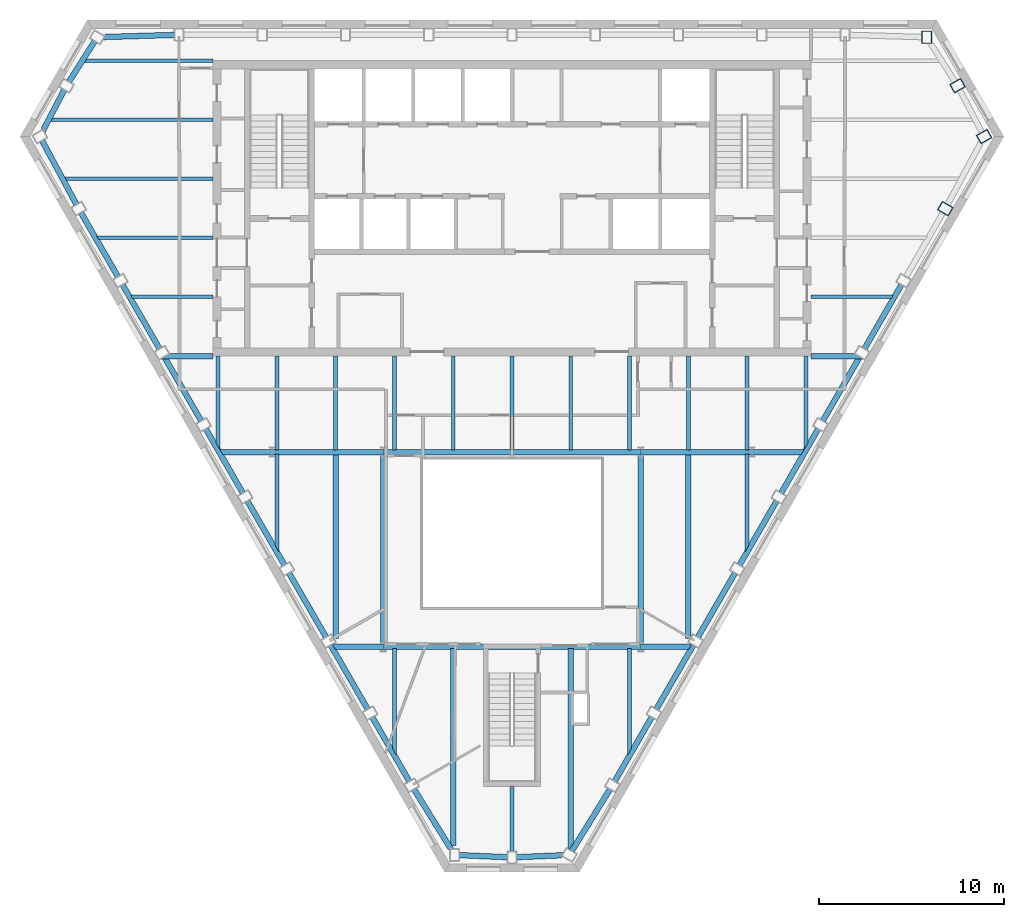
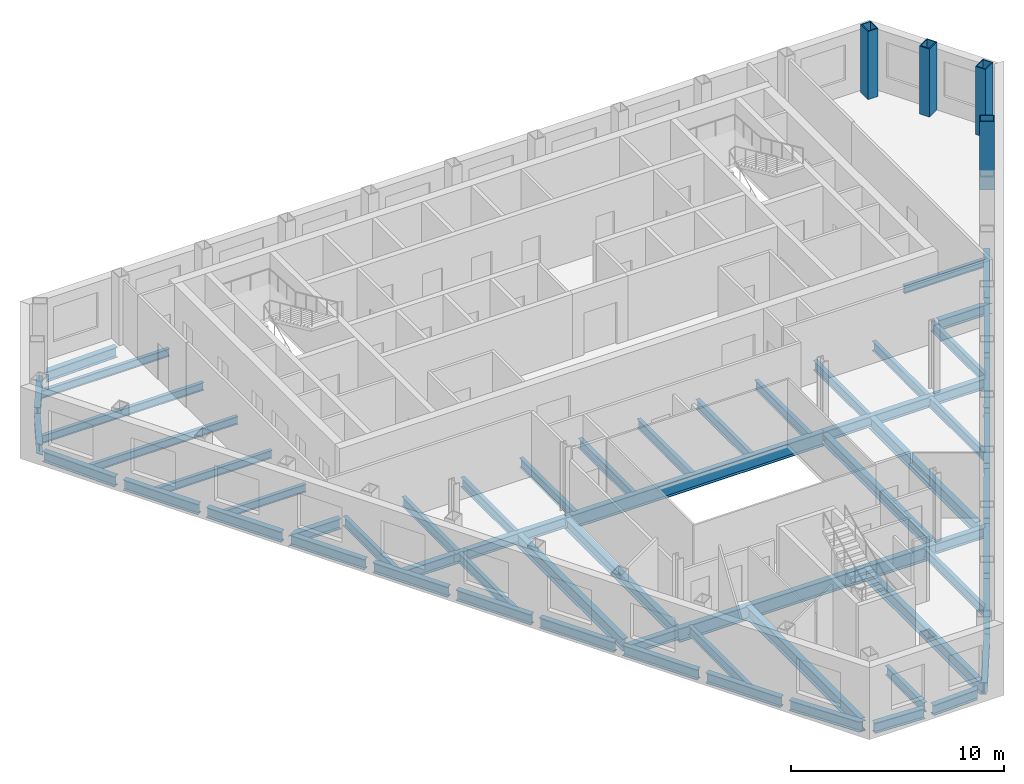
# One storey, part 2 of 11: 61 beams, 4 columns.
"""IFC4 building model written with IfcOpenShell, lengths in metres."""

import ifcopenshell
import ifcopenshell.guid

model = None  # the IFC model being written
_history = None  # IfcOwnerHistory: only IFC2X3 demands one
_inside = {}  # id of a spatial element -> (the spatial element, [elements in it])
_under = {}  # id of a project, library or spatial element -> (it, [spatial elements below it])
_declared = {}  # id of a project -> (the project, [libraries it declares])
_typed = {}  # id of a type object -> (the type object, [elements of that type])
_made_of = {}  # id of a material, layer set ... -> (it, [elements and type objects made of it])


def new_model(schema):
    """Start an empty IFC model of exactly this schema.

    Asked for "IFC4X3", IfcOpenShell would pick the latest addendum, in which some entities
    have other attributes; the version numbers below select the first issue.
    IFC2X3 requires an IfcOwnerHistory on every rooted entity: one is made here for all.
    """
    global model, _history
    if schema == "IFC4X3":
        model = ifcopenshell.file(schema_version=(4, 3, 0, 0))
    else:
        model = ifcopenshell.file(schema=schema)
    _inside.clear()
    _under.clear()
    _declared.clear()
    _typed.clear()
    _made_of.clear()
    _history = None
    if model.schema == "IFC2X3":
        org = make("IfcOrganization", Name="unknown")
        user = make(
            "IfcPersonAndOrganization",
            ThePerson=make("IfcPerson", FamilyName="unknown"),
            TheOrganization=org,
        )
        app = make(
            "IfcApplication",
            ApplicationDeveloper=org,
            Version="unknown",
            ApplicationFullName="unknown",
            ApplicationIdentifier="unknown",
        )
        _history = make(
            "IfcOwnerHistory",
            OwningUser=user,
            OwningApplication=app,
            ChangeAction="ADDED",
            CreationDate=0,
        )
    return model


def make(cls, **values):
    """One entity of the class cls with the attributes given. An attribute that is None is left unset."""
    return model.create_entity(
        cls, **{name: value for name, value in values.items() if value is not None}
    )


def rooted(cls, **values):
    """An entity with a GlobalId (a new one), such as an element, a storey or a relation."""
    return make(cls, GlobalId=ifcopenshell.guid.new(), OwnerHistory=_history, **values)


def si_unit(unit_type, name, prefix=None):
    """IfcSIUnit, for example si_unit("LENGTHUNIT", "METRE", prefix="MILLI")."""
    return make("IfcSIUnit", UnitType=unit_type, Prefix=prefix, Name=name)


def assignment(units):
    """IfcUnitAssignment: the units of a project."""
    return None if units is None else make("IfcUnitAssignment", Units=units)


def point(xyz):
    """IfcCartesianPoint."""
    return None if xyz is None else make("IfcCartesianPoint", Coordinates=xyz)


def direction(xyz):
    """IfcDirection."""
    return None if xyz is None else make("IfcDirection", DirectionRatios=xyz)


def frame(location, z_axis=None, x_axis=None):
    """IfcAxis2Placement3D, a coordinate frame: its origin and axes. An axis left out is left unset."""
    return make(
        "IfcAxis2Placement3D",
        Location=point(location),
        Axis=direction(z_axis),
        RefDirection=direction(x_axis),
    )


def frame_2d(location, x_axis=None):
    """IfcAxis2Placement2D, a coordinate frame in the plane: its origin and x axis."""
    return make(
        "IfcAxis2Placement2D", Location=point(location), RefDirection=direction(x_axis)
    )


def origin():
    """The frame at (0, 0, 0) with its axes left unset."""
    return frame((0.0, 0.0, 0.0))


def origin_2d():
    """The frame at (0, 0) in the plane with its x axis left unset."""
    return frame_2d((0.0, 0.0))


def place(relative_to, where):
    """IfcLocalPlacement: puts the frame where relative to a parent placement (None: the world)."""
    return make(
        "IfcLocalPlacement", PlacementRelTo=relative_to, RelativePlacement=where
    )


def context(
    kind, dimensions, precision=None, world=None, true_north=None, identifier=None
):
    """IfcGeometricRepresentationContext, for example the 3D "Model" context."""
    return make(
        "IfcGeometricRepresentationContext",
        ContextIdentifier=identifier,
        ContextType=kind,
        CoordinateSpaceDimension=dimensions,
        Precision=precision,
        WorldCoordinateSystem=world,
        TrueNorth=true_north,
    )


def subcontext(parent, identifier, kind, view, scale=None):
    """IfcGeometricRepresentationSubContext, for example "Body" below "Model"."""
    return make(
        "IfcGeometricRepresentationSubContext",
        ContextIdentifier=identifier,
        ContextType=kind,
        ParentContext=parent,
        TargetScale=scale,
        TargetView=view,
    )


def project(units=None, contexts=None):
    """IfcProject with its units and contexts."""
    return rooted(
        "IfcProject",
        Name="project",
        RepresentationContexts=contexts,
        UnitsInContext=assignment(units),
    )


def spatial(cls, under=None, at=None, **own):
    """A site, building, storey or space (cls), placed at a placement, below another one or the project."""
    s = rooted(cls, ObjectPlacement=at, **own)
    if under is not None:
        _under.setdefault(under.id(), (under, []))[1].append(s)
    return s


def profile(cls, at=None, kind="AREA", **sizes):
    """A parametric profile (cls). Its sizes go by their IFC names, for example OverallWidth=200.0."""
    return make(cls, ProfileType=kind, Position=at, **sizes)


def hollow_rectangle(**sizes):
    """IfcRectangleHollowProfileDef."""
    return profile("IfcRectangleHollowProfileDef", **sizes)


def i_section(**sizes):
    """IfcIShapeProfileDef."""
    return profile("IfcIShapeProfileDef", **sizes)


def extrude(swept, where, along, depth):
    """IfcExtrudedAreaSolid: the profile swept, set in the frame where, extruded along a direction by depth."""
    return make(
        "IfcExtrudedAreaSolid",
        SweptArea=swept,
        Position=where,
        ExtrudedDirection=direction(along),
        Depth=depth,
    )


def clip(a, b, op="DIFFERENCE"):
    """IfcBooleanClippingResult: the solid a cut by the half space b."""
    return make(
        "IfcBooleanClippingResult", Operator=op, FirstOperand=a, SecondOperand=b
    )


def halfspace(plane, agree):
    """IfcHalfSpaceSolid: all space on one side of the plane z = 0 of the frame plane."""
    return make(
        "IfcHalfSpaceSolid",
        BaseSurface=make("IfcPlane", Position=plane),
        AgreementFlag=agree,
    )


def shape(context_of_items, identifier, shape_type, items):
    """IfcShapeRepresentation: the items that make up one representation, for example the "Body"."""
    return make(
        "IfcShapeRepresentation",
        ContextOfItems=context_of_items,
        RepresentationIdentifier=identifier,
        RepresentationType=shape_type,
        Items=items,
    )


def material(Name=None, Category=None):
    """IfcMaterial."""
    return make("IfcMaterial", Name=Name, Category=Category)


def material_profile(
    of_material, cross_section, Name=None, Category=None, Priority=None
):
    """IfcMaterialProfile: a cross section and its material."""
    return make(
        "IfcMaterialProfile",
        Name=Name,
        Material=of_material,
        Profile=cross_section,
        Priority=Priority,
        Category=Category,
    )


def profile_set(profiles, Name=None, composite=None):
    """IfcMaterialProfileSet."""
    return make(
        "IfcMaterialProfileSet",
        Name=Name,
        MaterialProfiles=profiles,
        CompositeProfile=composite,
    )


def made_of(thing, what):
    """Note that an element or type object is made of a material, layer set ...; save() writes the relation."""
    if what is not None:
        _made_of.setdefault(what.id(), (what, []))[1].append(thing)
    return thing


def type_object(cls, material=None, **own):
    """A type object (cls), such as IfcWallType, which elements share."""
    return made_of(rooted(cls, **own), material)


def element(
    cls,
    number,
    at=None,
    inside=None,
    cuts=None,
    type_object=None,
    material=None,
    context=None,
    identifier="Body",
    shape_type=None,
    held_by="IfcProductDefinitionShape",
    body=None,
    shapes=None,
    **own,
):
    """One element of the class cls, such as IfcWall. Its Tag is "e" and its number.

    at: its placement. inside: the storey or other place that contains it. cuts: it is an
    opening in that element (IfcRelVoidsElement). A single representation is given by context,
    identifier, shape_type and body (its items); several are given by shapes. held_by: the class
    of the entity that holds the representations. save() writes the other relations.
    """
    e = rooted(cls, Tag="e%d" % number, ObjectPlacement=at, **own)
    if body is not None:
        shapes = [shape(context, identifier, shape_type, body)]
    if shapes is not None:
        e.Representation = make(held_by, Representations=shapes)
    if inside is not None:
        _inside.setdefault(inside.id(), (inside, []))[1].append(e)
    if cuts is not None:
        rooted(
            "IfcRelVoidsElement", RelatingBuildingElement=cuts, RelatedOpeningElement=e
        )
    if type_object is not None:
        _typed.setdefault(type_object.id(), (type_object, []))[1].append(e)
    return made_of(e, material)


def aggregate(whole, parts):
    """IfcRelAggregates: a whole, such as a stair, and the parts it consists of."""
    return rooted("IfcRelAggregates", RelatingObject=whole, RelatedObjects=parts)


def save(model, path):
    """Write the relations noted so far, then the file.

    IfcRelAggregates (storeys below a building ...), IfcRelContainedInSpatialStructure (elements
    in a storey), IfcRelDefinesByType, IfcRelAssociatesMaterial and IfcRelDeclares: one each for
    every whole, place, type object, material and project.
    """
    for whole, parts in _under.values():
        aggregate(whole, parts)
    for where, things in _inside.values():
        rooted(
            "IfcRelContainedInSpatialStructure",
            RelatedElements=things,
            RelatingStructure=where,
        )
    for kind, things in _typed.values():
        rooted("IfcRelDefinesByType", RelatedObjects=things, RelatingType=kind)
    for what, things in _made_of.values():
        rooted("IfcRelAssociatesMaterial", RelatedObjects=things, RelatingMaterial=what)
    for by, libraries in _declared.values():
        rooted("IfcRelDeclares", RelatingContext=by, RelatedDefinitions=libraries)
    model.write(path)


model = new_model("IFC4")

# Units and contexts
model_context = context("Model", 3, precision=1e-05, world=origin(), true_north=direction((0.0, 1.0)))
body_context = subcontext(model_context, "Body", "Model", "MODEL_VIEW")
ifc_project = project(units=[si_unit("LENGTHUNIT", "METRE"), si_unit("AREAUNIT", "SQUARE_METRE"), si_unit("VOLUMEUNIT", "CUBIC_METRE"), si_unit("PLANEANGLEUNIT", "RADIAN"), si_unit("MASSUNIT", "GRAM", prefix="KILO")], contexts=[model_context])

# Site, building, storey
site_placement = place(None, origin())
site = spatial("IfcSite", under=ifc_project, at=site_placement, CompositionType="ELEMENT")
building_placement = place(site_placement, origin())
building = spatial("IfcBuilding", under=site, at=building_placement, Name="Njiva Tower", CompositionType="ELEMENT")
storey_placement = place(building_placement, frame((0.0, 0.0, 212.1)))
storey = spatial("IfcBuildingStorey", under=building, at=storey_placement, Name="L47", CompositionType="ELEMENT", Elevation=212.1)

# Columns
ifc_material = material(Name="Steel S355 J2", Category="steel")
ifc_material_profile_1 = material_profile(ifc_material, hollow_rectangle(XDim=0.55, YDim=0.7, WallThickness=0.05, at=origin_2d()), Name="BOX 700x550x50")
ifc_profile_set_1 = profile_set([ifc_material_profile_1], Name="Steel S355 J2")
column_type = type_object("IfcColumnType", Name="C11 Perimeter tube column BOX 700x550x50", PredefinedType="COLUMN", material=ifc_profile_set_1)
for number, where, z_axis, x_axis, name in (
    (1, (22.461, 19.267, 0.0), (0.0, 0.0, 1.0), (-1.0, 0.0, 0.0), "Perimeter tube column S15-C01"),
    (2, (23.467, 9.983, 0.0), (0.0, 0.0, 1.0), (0.5, 0.866025403784, 0.0), "Perimeter tube column S15-C34"),
    (3, (25.568, 13.887, 0.0), (0.0, 0.0, 1.0), (-0.5, 0.866025403784, 0.0), "Perimeter tube column S15-C35"),
    (4, (24.13, 16.643, 0.0), (0.0, 0.0, 1.0), (-0.5, 0.866025403784, 0.0), "Perimeter tube column S15-C36"),
):
    element("IfcColumn", number, at=place(storey_placement, frame(where, z_axis=z_axis, x_axis=x_axis)), inside=storey, type_object=column_type, Name=name, PredefinedType="COLUMN", context=body_context, shape_type="SweptSolid", body=[
        extrude(hollow_rectangle(XDim=0.55, YDim=0.7, WallThickness=0.05, at=origin_2d()), origin(), (0.0, 0.0, 1.0), 3.9),
    ])

# Beams
ifc_material_profile_2 = material_profile(ifc_material, i_section(OverallWidth=0.3, OverallDepth=0.69, WebThickness=0.0145, FlangeThickness=0.027, at=origin_2d()), Name="HEA 700")
ifc_profile_set_2 = profile_set([ifc_material_profile_2], Name="Steel S355 J2")
beam_type_1 = type_object("IfcBeamType", Name="B12 Long-span floor joist HEA 700", PredefinedType="JOIST", material=ifc_profile_set_2)
beam_1_placement = place(storey_placement, frame((-9.55, -3.3, -0.545), z_axis=(0.0, -1.0, 0.0), x_axis=(1.0, 0.0, 0.0)))
element("IfcBeam", 5, at=beam_1_placement, inside=storey, type_object=beam_type_1, Name="Long-span floor joist S15-B056", PredefinedType="JOIST", context=body_context, shape_type="SweptSolid", body=[
    extrude(i_section(OverallWidth=0.3, OverallDepth=0.69, WebThickness=0.0145, FlangeThickness=0.027, at=origin_2d()), origin(), (0.0, 0.0, 1.0), 9.997),
])
beam_2_placement = place(storey_placement, frame((-3.183, -13.85, -0.545), z_axis=(0.0, -1.0, 0.0), x_axis=(1.0, 0.0, 0.0)))
element("IfcBeam", 6, at=beam_2_placement, inside=storey, type_object=beam_type_1, Name="Long-span floor joist S15-B061", PredefinedType="JOIST", context=body_context, shape_type="SweptSolid", body=[
    extrude(i_section(OverallWidth=0.3, OverallDepth=0.69, WebThickness=0.0145, FlangeThickness=0.027, at=origin_2d()), origin(), (0.0, 0.0, 1.0), 10.643),
])
beam_3_placement = place(storey_placement, frame((3.183, -13.85, -0.545), z_axis=(0.0, -1.0, 0.0), x_axis=(1.0, 0.0, 0.0)))
element("IfcBeam", 7, at=beam_3_placement, inside=storey, type_object=beam_type_1, Name="Long-span floor joist S15-B066", PredefinedType="JOIST", context=body_context, shape_type="Clipping", body=[
    clip(extrude(i_section(OverallWidth=0.3, OverallDepth=0.69, WebThickness=0.0145, FlangeThickness=0.027, at=origin_2d()), origin(), (0.0, 0.0, 1.0), 11.033), halfspace(frame((-0.0247, 0.0, 10.9374), z_axis=(-0.499998009787, 0.0, 0.866026552831), x_axis=(0.0, 1.0, 0.0)), False)),
])
beam_4_placement = place(storey_placement, frame((9.55, -3.3, -0.545), z_axis=(0.0, -1.0, 0.0), x_axis=(1.0, 0.0, 0.0)))
element("IfcBeam", 8, at=beam_4_placement, inside=storey, type_object=beam_type_1, Name="Long-span floor joist S15-B072", PredefinedType="JOIST", context=body_context, shape_type="SweptSolid", body=[
    extrude(i_section(OverallWidth=0.3, OverallDepth=0.69, WebThickness=0.0145, FlangeThickness=0.027, at=origin_2d()), origin(), (0.0, 0.0, 1.0), 9.997),
])
ifc_material_profile_3 = material_profile(ifc_material, i_section(OverallWidth=0.3, OverallDepth=0.59, WebThickness=0.013, FlangeThickness=0.025, at=origin_2d()), Name="HEA 600")
ifc_profile_set_3 = profile_set([ifc_material_profile_3], Name="Steel S355 J2")
beam_type_2 = type_object("IfcBeamType", Name="B27 Short-span spandrel beam HEA 600", PredefinedType="SPANDREL", material=ifc_profile_set_3)
beam_5_placement = place(storey_placement, frame((-18.259, 19.393, -0.495), z_axis=(-0.999546404273, -0.03011620335, 0.0), x_axis=(0.03011620335, -0.999546404273, 0.0)))
element("IfcBeam", 9, at=beam_5_placement, inside=storey, type_object=beam_type_2, Name="Short-span spandrel beam S15-B091", PredefinedType="SPANDREL", context=body_context, shape_type="Clipping", body=[
    clip(extrude(i_section(OverallWidth=0.3, OverallDepth=0.59, WebThickness=0.013, FlangeThickness=0.025, at=origin_2d()), origin(), (0.0, 0.0, 1.0), 3.9647), halfspace(frame((-0.0268, 0.0, 3.835), z_axis=(-0.525852644597, 0.0, 0.850575685151), x_axis=(0.0, 1.0, 0.0)), False)),
])
beam_6_placement = place(storey_placement, frame((-22.585, 19.072, -0.495), z_axis=(-0.536704407598, -0.843770335379, 0.0), x_axis=(0.843770335379, -0.536704407598, 0.0)))
element("IfcBeam", 10, at=beam_6_placement, inside=storey, type_object=beam_type_2, Name="Short-span spandrel beam S15-B088", PredefinedType="SPANDREL", context=body_context, shape_type="SweptSolid", body=[
    extrude(i_section(OverallWidth=0.3, OverallDepth=0.59, WebThickness=0.013, FlangeThickness=0.025, at=origin_2d()), origin(), (0.0, 0.0, 1.0), 2.6476),
])
beam_7_placement = place(storey_placement, frame((-24.237, 16.438, -0.495), z_axis=(-0.462376265324, -0.886683815836, 0.0), x_axis=(0.886683815836, -0.462376265324, 0.0)))
element("IfcBeam", 11, at=beam_7_placement, inside=storey, type_object=beam_type_2, Name="Short-span spandrel beam S15-B085", PredefinedType="SPANDREL", context=body_context, shape_type="Clipping", body=[
    clip(extrude(i_section(OverallWidth=0.3, OverallDepth=0.59, WebThickness=0.013, FlangeThickness=0.025, at=origin_2d()), origin(), (0.0, 0.0, 1.0), 2.6368), halfspace(frame((-0.0269, 0.0, 2.5051), z_axis=(-0.536704516045, 0.0, 0.843770266398), x_axis=(0.0, 1.0, 0.0)), False)),
])
beam_8_placement = place(storey_placement, frame((-25.459, 13.686, -0.495), z_axis=(0.473574818702, -0.880753592721, 0.0), x_axis=(0.880753592721, 0.473574818702, 0.0)))
element("IfcBeam", 12, at=beam_8_placement, inside=storey, type_object=beam_type_2, Name="Short-span spandrel beam S15-B084", PredefinedType="SPANDREL", context=body_context, shape_type="SweptSolid", body=[
    extrude(i_section(OverallWidth=0.3, OverallDepth=0.59, WebThickness=0.013, FlangeThickness=0.025, at=origin_2d()), origin(), (0.0, 0.0, 1.0), 3.9761),
])
beam_9_placement = place(storey_placement, frame((-23.355, 9.788, -0.495), z_axis=(0.500035331196, -0.866005004348, 0.0), x_axis=(0.866005004348, 0.500035331196, 0.0)))
element("IfcBeam", 13, at=beam_9_placement, inside=storey, type_object=beam_type_2, Name="Short-span spandrel beam S15-B089", PredefinedType="SPANDREL", context=body_context, shape_type="SweptSolid", body=[
    extrude(i_section(OverallWidth=0.3, OverallDepth=0.59, WebThickness=0.013, FlangeThickness=0.025, at=origin_2d()), origin(), (0.0, 0.0, 1.0), 4.0577),
])
beam_10_placement = place(storey_placement, frame((-21.101, 5.884, -0.495), z_axis=(0.499957196903, -0.866050114754, 0.0), x_axis=(0.866050114754, 0.499957196903, 0.0)))
element("IfcBeam", 14, at=beam_10_placement, inside=storey, type_object=beam_type_2, Name="Short-span spandrel beam S15-B092", PredefinedType="SPANDREL", context=body_context, shape_type="SweptSolid", body=[
    extrude(i_section(OverallWidth=0.3, OverallDepth=0.59, WebThickness=0.013, FlangeThickness=0.025, at=origin_2d()), origin(), (0.0, 0.0, 1.0), 4.0563),
])
for number, where, z_axis, x_axis, name in (
    (15, (-18.848, 1.981, -0.495), (0.500035331196, -0.866005004348, 0.0), (0.866005004348, 0.500035331196, 0.0), "Short-span spandrel beam S15-B094"),
    (16, (-16.594, -1.923, -0.495), (0.500035331196, -0.866005004348, 0.0), (0.866005004348, 0.500035331196, 0.0), "Short-span spandrel beam S15-B097"),
    (17, (-14.34, -5.827, -0.495), (0.500035331196, -0.866005004348, 0.0), (0.866005004348, 0.500035331196, 0.0), "Short-span spandrel beam S15-B099"),
):
    element("IfcBeam", number, at=place(storey_placement, frame(where, z_axis=z_axis, x_axis=x_axis)), inside=storey, type_object=beam_type_2, Name=name, PredefinedType="SPANDREL", context=body_context, shape_type="SweptSolid", body=[
        extrude(i_section(OverallWidth=0.3, OverallDepth=0.59, WebThickness=0.013, FlangeThickness=0.025, at=origin_2d()), origin(), (0.0, 0.0, 1.0), 4.0577),
    ])
beam_11_placement = place(storey_placement, frame((-12.086, -9.731, -0.495), z_axis=(0.500142068684, -0.865943364853, 0.0), x_axis=(0.865943364853, 0.500142068684, 0.0)))
element("IfcBeam", 18, at=beam_11_placement, inside=storey, type_object=beam_type_2, Name="Short-span spandrel beam S15-B102", PredefinedType="SPANDREL", context=body_context, shape_type="SweptSolid", body=[
    extrude(i_section(OverallWidth=0.3, OverallDepth=0.59, WebThickness=0.013, FlangeThickness=0.025, at=origin_2d()), origin(), (0.0, 0.0, 1.0), 4.0568),
])
for number, where, z_axis, x_axis, name in (
    (19, (-9.832, -13.634, -0.495), (0.500035331196, -0.866005004348, 0.0), (0.866005004348, 0.500035331196, 0.0), "Short-span spandrel beam S15-B104"),
    (20, (-7.578, -17.538, -0.495), (0.500035331196, -0.866005004348, 0.0), (0.866005004348, 0.500035331196, 0.0), "Short-span spandrel beam S15-B107"),
):
    element("IfcBeam", number, at=place(storey_placement, frame(where, z_axis=z_axis, x_axis=x_axis)), inside=storey, type_object=beam_type_2, Name=name, PredefinedType="SPANDREL", context=body_context, shape_type="SweptSolid", body=[
        extrude(i_section(OverallWidth=0.3, OverallDepth=0.59, WebThickness=0.013, FlangeThickness=0.025, at=origin_2d()), origin(), (0.0, 0.0, 1.0), 4.0577),
    ])
beam_12_placement = place(storey_placement, frame((-5.317, -21.442, -0.495), z_axis=(0.525907504523, -0.850541766574, 0.0), x_axis=(0.850541766574, 0.525907504523, 0.0)))
element("IfcBeam", 21, at=beam_12_placement, inside=storey, type_object=beam_type_2, Name="Short-span spandrel beam S15-B109", PredefinedType="SPANDREL", context=body_context, shape_type="Clipping", body=[
    clip(extrude(i_section(OverallWidth=0.3, OverallDepth=0.59, WebThickness=0.013, FlangeThickness=0.025, at=origin_2d()), origin(), (0.0, 0.0, 1.0), 3.9635), halfspace(frame((-0.0262, 0.0, 3.8343), z_axis=(-0.525907504523, 0.0, 0.850541766574), x_axis=(0.0, 1.0, 0.0)), False)),
])
beam_13_placement = place(storey_placement, frame((-2.875, -25.027, -0.495), z_axis=(0.999071778133, -0.043076468497, 0.0), x_axis=(0.043076468497, 0.999071778133, 0.0)))
element("IfcBeam", 22, at=beam_13_placement, inside=storey, type_object=beam_type_2, Name="Short-span spandrel beam S15-B113", PredefinedType="SPANDREL", context=body_context, shape_type="SweptSolid", body=[
    extrude(i_section(OverallWidth=0.3, OverallDepth=0.59, WebThickness=0.013, FlangeThickness=0.025, at=origin_2d()), origin(), (0.0, 0.0, 1.0), 2.6465),
])
beam_14_placement = place(storey_placement, frame((0.231, -25.141, -0.495), z_axis=(0.999082895818, 0.042817838392, 0.0), x_axis=(-0.042817838392, 0.999082895818, 0.0)))
element("IfcBeam", 23, at=beam_14_placement, inside=storey, type_object=beam_type_2, Name="Short-span spandrel beam S15-B115", PredefinedType="SPANDREL", context=body_context, shape_type="Clipping", body=[
    clip(extrude(i_section(OverallWidth=0.3, OverallDepth=0.59, WebThickness=0.013, FlangeThickness=0.025, at=origin_2d()), origin(), (0.0, 0.0, 1.0), 2.6373), halfspace(frame((-0.0265, 0.0, 2.5049), z_axis=(-0.536620844503, 0.0, 0.843823482278), x_axis=(0.0, 1.0, 0.0)), False)),
])
beam_15_placement = place(storey_placement, frame((3.227, -24.823, -0.495), z_axis=(0.525808859421, 0.850602752967, 0.0), x_axis=(-0.850602752967, 0.525808859421, 0.0)))
element("IfcBeam", 24, at=beam_15_placement, inside=storey, type_object=beam_type_2, Name="Short-span spandrel beam S15-B118", PredefinedType="SPANDREL", context=body_context, shape_type="SweptSolid", body=[
    extrude(i_section(OverallWidth=0.3, OverallDepth=0.59, WebThickness=0.013, FlangeThickness=0.025, at=origin_2d()), origin(), (0.0, 0.0, 1.0), 3.9748),
])
for number, where, z_axis, x_axis, name in (
    (25, (5.549, -21.052, -0.495), (0.500035331196, 0.866005004348, 0.0), (-0.866005004348, 0.500035331196, 0.0), "Short-span spandrel beam S15-B121"),
    (26, (7.803, -17.148, -0.495), (0.500035331196, 0.866005004348, 0.0), (-0.866005004348, 0.500035331196, 0.0), "Short-span spandrel beam S15-B123"),
):
    element("IfcBeam", number, at=place(storey_placement, frame(where, z_axis=z_axis, x_axis=x_axis)), inside=storey, type_object=beam_type_2, Name=name, PredefinedType="SPANDREL", context=body_context, shape_type="SweptSolid", body=[
        extrude(i_section(OverallWidth=0.3, OverallDepth=0.59, WebThickness=0.013, FlangeThickness=0.025, at=origin_2d()), origin(), (0.0, 0.0, 1.0), 4.0577),
    ])
beam_16_placement = place(storey_placement, frame((10.057, -13.244, -0.495), z_axis=(0.500142068684, 0.865943364853, 0.0), x_axis=(-0.865943364853, 0.500142068684, 0.0)))
element("IfcBeam", 27, at=beam_16_placement, inside=storey, type_object=beam_type_2, Name="Short-span spandrel beam S15-B126", PredefinedType="SPANDREL", context=body_context, shape_type="SweptSolid", body=[
    extrude(i_section(OverallWidth=0.3, OverallDepth=0.59, WebThickness=0.013, FlangeThickness=0.025, at=origin_2d()), origin(), (0.0, 0.0, 1.0), 4.0568),
])
for number, where, z_axis, x_axis, name in (
    (28, (12.311, -9.341, -0.495), (0.500035331196, 0.866005004348, 0.0), (-0.866005004348, 0.500035331196, 0.0), "Short-span spandrel beam S15-B128"),
    (29, (14.565, -5.437, -0.495), (0.500035331196, 0.866005004348, 0.0), (-0.866005004348, 0.500035331196, 0.0), "Short-span spandrel beam S15-B131"),
    (30, (16.819, -1.533, -0.495), (0.500035331196, 0.866005004348, 0.0), (-0.866005004348, 0.500035331196, 0.0), "Short-span spandrel beam S15-B133"),
):
    element("IfcBeam", number, at=place(storey_placement, frame(where, z_axis=z_axis, x_axis=x_axis)), inside=storey, type_object=beam_type_2, Name=name, PredefinedType="SPANDREL", context=body_context, shape_type="SweptSolid", body=[
        extrude(i_section(OverallWidth=0.3, OverallDepth=0.59, WebThickness=0.013, FlangeThickness=0.025, at=origin_2d()), origin(), (0.0, 0.0, 1.0), 4.0577),
    ])
beam_17_placement = place(storey_placement, frame((19.073, 2.371, -0.495), z_axis=(0.499957196903, 0.866050114754, 0.0), x_axis=(-0.866050114754, 0.499957196903, 0.0)))
element("IfcBeam", 31, at=beam_17_placement, inside=storey, type_object=beam_type_2, Name="Short-span spandrel beam S15-B136", PredefinedType="SPANDREL", context=body_context, shape_type="SweptSolid", body=[
    extrude(i_section(OverallWidth=0.3, OverallDepth=0.59, WebThickness=0.013, FlangeThickness=0.025, at=origin_2d()), origin(), (0.0, 0.0, 1.0), 4.0563),
])
ifc_material_profile_4 = material_profile(ifc_material, i_section(OverallWidth=0.3, OverallDepth=0.59, WebThickness=0.013, FlangeThickness=0.025, at=origin_2d()), Name="HEA 600")
ifc_profile_set_4 = profile_set([ifc_material_profile_4], Name="Steel S355 J2")
beam_type_3 = type_object("IfcBeamType", Name="B28 Floor girder HEA 600", PredefinedType="BEAM", material=ifc_profile_set_4)
for number, where, z_axis, x_axis, name in (
    (32, (-13.0, -3.2, -0.495), (1.0, 0.0, 0.0), (0.0, 1.0, 0.0), "Floor girder S15-B014"),
    (33, (6.97, -3.2, -0.495), (1.0, 0.0, 0.0), (0.0, 1.0, 0.0), "Floor girder S15-B019"),
):
    element("IfcBeam", number, at=place(storey_placement, frame(where, z_axis=z_axis, x_axis=x_axis)), inside=storey, type_object=beam_type_3, Name=name, PredefinedType="BEAM", context=body_context, shape_type="SweptSolid", body=[
        extrude(i_section(OverallWidth=0.3, OverallDepth=0.59, WebThickness=0.013, FlangeThickness=0.025, at=origin_2d()), origin(), (0.0, 0.0, 1.0), 6.03),
    ])
ifc_material_profile_5 = material_profile(ifc_material, i_section(OverallWidth=0.3, OverallDepth=0.59, WebThickness=0.013, FlangeThickness=0.025, at=origin_2d()), Name="HEA 600")
ifc_profile_set_5 = profile_set([ifc_material_profile_5], Name="Steel S355 J2")
beam_type_4 = type_object("IfcBeamType", Name="B29 Short-span floor girder HEA 600", PredefinedType="BEAM", material=ifc_profile_set_5)
beam_18_placement = place(storey_placement, frame((-15.848, -3.2, -0.495), z_axis=(1.0, 0.0, 0.0), x_axis=(0.0, 1.0, 0.0)))
element("IfcBeam", 34, at=beam_18_placement, inside=storey, type_object=beam_type_4, Name="Short-span floor girder S15-B013", PredefinedType="BEAM", context=body_context, shape_type="Clipping", body=[
    clip(extrude(i_section(OverallWidth=0.3, OverallDepth=0.59, WebThickness=0.013, FlangeThickness=0.025, at=origin_2d()), origin(), (0.0, 0.0, 1.0), 2.848), halfspace(frame((-0.025, 0.0, 0.1217), z_axis=(-0.499998009787, 0.0, -0.866026552831), x_axis=(0.0, -1.0, 0.0)), False)),
])
beam_19_placement = place(storey_placement, frame((13.0, -3.2, -0.495), z_axis=(1.0, 0.0, 0.0), x_axis=(0.0, 1.0, 0.0)))
element("IfcBeam", 35, at=beam_19_placement, inside=storey, type_object=beam_type_4, Name="Short-span floor girder S15-B020", PredefinedType="BEAM", context=body_context, shape_type="Clipping", body=[
    clip(extrude(i_section(OverallWidth=0.3, OverallDepth=0.59, WebThickness=0.013, FlangeThickness=0.025, at=origin_2d()), origin(), (0.0, 0.0, 1.0), 2.848), halfspace(frame((-0.025, 0.0, 2.7263), z_axis=(-0.499998009787, 0.0, 0.866026552831), x_axis=(0.0, 1.0, 0.0)), False)),
])
beam_20_placement = place(storey_placement, frame((-9.757, -13.75, -0.495), z_axis=(1.0, 0.0, 0.0), x_axis=(0.0, 1.0, 0.0)))
element("IfcBeam", 36, at=beam_20_placement, inside=storey, type_object=beam_type_4, Name="Short-span floor girder S15-B016", PredefinedType="BEAM", context=body_context, shape_type="Clipping", body=[
    clip(extrude(i_section(OverallWidth=0.3, OverallDepth=0.59, WebThickness=0.013, FlangeThickness=0.025, at=origin_2d()), origin(), (0.0, 0.0, 1.0), 2.787), halfspace(frame((-0.025, 0.0, 0.1217), z_axis=(-0.499998009787, 0.0, -0.866026552831), x_axis=(0.0, -1.0, 0.0)), False)),
])
beam_21_placement = place(storey_placement, frame((6.97, -13.75, -0.495), z_axis=(1.0, 0.0, 0.0), x_axis=(0.0, 1.0, 0.0)))
element("IfcBeam", 37, at=beam_21_placement, inside=storey, type_object=beam_type_4, Name="Short-span floor girder S15-B017", PredefinedType="BEAM", context=body_context, shape_type="Clipping", body=[
    clip(extrude(i_section(OverallWidth=0.3, OverallDepth=0.59, WebThickness=0.013, FlangeThickness=0.025, at=origin_2d()), origin(), (0.0, 0.0, 1.0), 2.787), halfspace(frame((-0.025, 0.0, 2.6653), z_axis=(-0.499998009787, 0.0, 0.866026552831), x_axis=(0.0, 1.0, 0.0)), False)),
])
beam_22_placement = place(storey_placement, frame((-19.095, 2.0, -0.495), z_axis=(1.0, 0.0, 0.0), x_axis=(0.0, 1.0, 0.0)))
element("IfcBeam", 38, at=beam_22_placement, inside=storey, type_object=beam_type_4, Name="Short-span floor girder S15-B012", PredefinedType="BEAM", context=body_context, shape_type="Clipping", body=[
    clip(extrude(i_section(OverallWidth=0.3, OverallDepth=0.59, WebThickness=0.013, FlangeThickness=0.025, at=origin_2d()), origin(), (0.0, 0.0, 1.0), 2.895), halfspace(frame((0.0433, 0.0, 0.3552), z_axis=(0.866026552831, 0.0, -0.499998009787), x_axis=(0.0, -1.0, 0.0)), False)),
])
beam_23_placement = place(storey_placement, frame((16.2, 2.0, -0.495), z_axis=(1.0, 0.0, 0.0), x_axis=(0.0, 1.0, 0.0)))
element("IfcBeam", 39, at=beam_23_placement, inside=storey, type_object=beam_type_4, Name="Short-span floor girder S15-B021", PredefinedType="BEAM", context=body_context, shape_type="Clipping", body=[
    clip(extrude(i_section(OverallWidth=0.3, OverallDepth=0.59, WebThickness=0.013, FlangeThickness=0.025, at=origin_2d()), origin(), (0.0, 0.0, 1.0), 2.895), halfspace(frame((0.0433, 0.0, 2.5398), z_axis=(0.866026552831, 0.0, 0.499998009787), x_axis=(0.0, 1.0, 0.0)), False)),
])
ifc_material_profile_6 = material_profile(ifc_material, i_section(OverallWidth=0.3, OverallDepth=0.59, WebThickness=0.013, FlangeThickness=0.025, at=origin_2d()), Name="HEA 600")
ifc_profile_set_6 = profile_set([ifc_material_profile_6], Name="Steel S355 J2")
beam_type_5 = type_object("IfcBeamType", Name="B30 Long-span atrium trimmer beam HEA 600", PredefinedType="BEAM", material=ifc_profile_set_6)
for number, where, z_axis, x_axis, name in (
    (40, (6.97, -13.538, -0.495), (0.0, 1.0, 0.0), (-1.0, 0.0, 0.0), "Long-span atrium trimmer beam S15-B082"),
    (41, (-6.97, -3.412, -0.495), (0.0, -1.0, 0.0), (1.0, 0.0, 0.0), "Long-span atrium trimmer beam S15-B079"),
):
    element("IfcBeam", number, at=place(storey_placement, frame(where, z_axis=z_axis, x_axis=x_axis)), inside=storey, type_object=beam_type_5, Name=name, PredefinedType="BEAM", context=body_context, shape_type="SweptSolid", body=[
        extrude(i_section(OverallWidth=0.3, OverallDepth=0.59, WebThickness=0.013, FlangeThickness=0.025, at=origin_2d()), origin(), (0.0, 0.0, 1.0), 10.126),
    ])
ifc_material_profile_7 = material_profile(ifc_material, i_section(OverallWidth=0.21, OverallDepth=0.55, WebThickness=0.0111, FlangeThickness=0.0172, at=origin_2d()), Name="IPE 550")
ifc_profile_set_7 = profile_set([ifc_material_profile_7], Name="Steel S355 J2")
beam_type_6 = type_object("IfcBeamType", Name="B31 Short-span floor joist IPE 550", PredefinedType="JOIST", material=ifc_profile_set_7)
beam_24_placement = place(storey_placement, frame((0.0, -21.3, -0.475), z_axis=(0.0, -1.0, 0.0), x_axis=(1.0, 0.0, 0.0)))
element("IfcBeam", 42, at=beam_24_placement, inside=storey, type_object=beam_type_6, Name="Short-span floor joist S15-B064", PredefinedType="JOIST", context=body_context, shape_type="SweptSolid", body=[
    extrude(i_section(OverallWidth=0.21, OverallDepth=0.55, WebThickness=0.0111, FlangeThickness=0.0172, at=origin_2d()), origin(), (0.0, 0.0, 1.0), 3.55),
])
ifc_material_profile_8 = material_profile(ifc_material, i_section(OverallWidth=0.21, OverallDepth=0.55, WebThickness=0.0111, FlangeThickness=0.0172, at=origin_2d()), Name="IPE 550")
ifc_profile_set_8 = profile_set([ifc_material_profile_8], Name="Steel S355 J2")
beam_type_7 = type_object("IfcBeamType", Name="B32 Floor joist IPE 550", PredefinedType="JOIST", material=ifc_profile_set_8)
beam_25_placement = place(storey_placement, frame((-15.917, 1.995, -0.475), z_axis=(0.0, -1.0, 0.0), x_axis=(1.0, 0.0, 0.0)))
element("IfcBeam", 43, at=beam_25_placement, inside=storey, type_object=beam_type_7, Name="Floor joist S15-B052", PredefinedType="JOIST", context=body_context, shape_type="Clipping", body=[
    clip(extrude(i_section(OverallWidth=0.21, OverallDepth=0.55, WebThickness=0.0111, FlangeThickness=0.0172, at=origin_2d()), origin(), (0.0, 0.0, 1.0), 5.092), halfspace(frame((-0.043, 0.0, 4.8153), z_axis=(-0.866026552831, 0.0, 0.499998009787), x_axis=(0.0, 1.0, 0.0)), False)),
])
beam_26_placement = place(storey_placement, frame((-12.733, 1.995, -0.475), z_axis=(0.0, -1.0, 0.0), x_axis=(1.0, 0.0, 0.0)))
element("IfcBeam", 44, at=beam_26_placement, inside=storey, type_object=beam_type_7, Name="Floor joist S15-B054", PredefinedType="JOIST", context=body_context, shape_type="SweptSolid", body=[
    extrude(i_section(OverallWidth=0.21, OverallDepth=0.55, WebThickness=0.0111, FlangeThickness=0.0172, at=origin_2d()), origin(), (0.0, 0.0, 1.0), 5.095),
])
beam_27_placement = place(storey_placement, frame((-12.733, -3.3, -0.475), z_axis=(0.0, -1.0, 0.0), x_axis=(1.0, 0.0, 0.0)))
element("IfcBeam", 45, at=beam_27_placement, inside=storey, type_object=beam_type_7, Name="Floor joist S15-B053", PredefinedType="JOIST", context=body_context, shape_type="Clipping", body=[
    clip(extrude(i_section(OverallWidth=0.21, OverallDepth=0.55, WebThickness=0.0111, FlangeThickness=0.0172, at=origin_2d()), origin(), (0.0, 0.0, 1.0), 5.311), halfspace(frame((-0.0436, 0.0, 5.034), z_axis=(-0.866026552831, 0.0, 0.499998009787), x_axis=(0.0, 1.0, 0.0)), False)),
])
for number, where, z_axis, x_axis, name in (
    (46, (-9.55, 1.995, -0.475), (0.0, -1.0, 0.0), (1.0, 0.0, 0.0), "Floor joist S15-B057"),
    (47, (-6.367, 1.995, -0.475), (0.0, -1.0, 0.0), (1.0, 0.0, 0.0), "Floor joist S15-B059"),
):
    element("IfcBeam", number, at=place(storey_placement, frame(where, z_axis=z_axis, x_axis=x_axis)), inside=storey, type_object=beam_type_7, Name=name, PredefinedType="JOIST", context=body_context, shape_type="SweptSolid", body=[
        extrude(i_section(OverallWidth=0.21, OverallDepth=0.55, WebThickness=0.0111, FlangeThickness=0.0172, at=origin_2d()), origin(), (0.0, 0.0, 1.0), 5.095),
    ])
beam_28_placement = place(storey_placement, frame((-6.367, -13.85, -0.475), z_axis=(0.0, -1.0, 0.0), x_axis=(1.0, 0.0, 0.0)))
element("IfcBeam", 48, at=beam_28_placement, inside=storey, type_object=beam_type_7, Name="Floor joist S15-B058", PredefinedType="JOIST", context=body_context, shape_type="Clipping", body=[
    clip(extrude(i_section(OverallWidth=0.21, OverallDepth=0.55, WebThickness=0.0111, FlangeThickness=0.0172, at=origin_2d()), origin(), (0.0, 0.0, 1.0), 5.788), halfspace(frame((-0.043, 0.0, 5.5114), z_axis=(-0.866026552831, 0.0, 0.499998009787), x_axis=(0.0, 1.0, 0.0)), False)),
])
for number, where, z_axis, x_axis, name in (
    (49, (-3.183, 1.995, -0.475), (0.0, -1.0, 0.0), (1.0, 0.0, 0.0), "Floor joist S15-B062"),
    (50, (0.0, 1.995, -0.475), (0.0, -1.0, 0.0), (1.0, 0.0, 0.0), "Floor joist S15-B065"),
    (51, (3.183, 1.995, -0.475), (0.0, -1.0, 0.0), (1.0, 0.0, 0.0), "Floor joist S15-B068"),
    (52, (6.367, 1.995, -0.475), (0.0, -1.0, 0.0), (1.0, 0.0, 0.0), "Floor joist S15-B070"),
):
    element("IfcBeam", number, at=place(storey_placement, frame(where, z_axis=z_axis, x_axis=x_axis)), inside=storey, type_object=beam_type_7, Name=name, PredefinedType="JOIST", context=body_context, shape_type="SweptSolid", body=[
        extrude(i_section(OverallWidth=0.21, OverallDepth=0.55, WebThickness=0.0111, FlangeThickness=0.0172, at=origin_2d()), origin(), (0.0, 0.0, 1.0), 5.095),
    ])
beam_29_placement = place(storey_placement, frame((6.367, -13.85, -0.475), z_axis=(0.0, -1.0, 0.0), x_axis=(1.0, 0.0, 0.0)))
element("IfcBeam", 53, at=beam_29_placement, inside=storey, type_object=beam_type_7, Name="Floor joist S15-B069", PredefinedType="JOIST", context=body_context, shape_type="Clipping", body=[
    clip(extrude(i_section(OverallWidth=0.21, OverallDepth=0.55, WebThickness=0.0111, FlangeThickness=0.0172, at=origin_2d()), origin(), (0.0, 0.0, 1.0), 5.788), halfspace(frame((0.043, 0.0, 5.5114), z_axis=(0.866026552831, 0.0, 0.499998009787), x_axis=(0.0, 1.0, 0.0)), False)),
])
for number, where, z_axis, x_axis, name in (
    (54, (9.55, 1.995, -0.475), (0.0, -1.0, 0.0), (1.0, 0.0, 0.0), "Floor joist S15-B073"),
    (55, (12.733, 1.995, -0.475), (0.0, -1.0, 0.0), (1.0, 0.0, 0.0), "Floor joist S15-B075"),
):
    element("IfcBeam", number, at=place(storey_placement, frame(where, z_axis=z_axis, x_axis=x_axis)), inside=storey, type_object=beam_type_7, Name=name, PredefinedType="JOIST", context=body_context, shape_type="SweptSolid", body=[
        extrude(i_section(OverallWidth=0.21, OverallDepth=0.55, WebThickness=0.0111, FlangeThickness=0.0172, at=origin_2d()), origin(), (0.0, 0.0, 1.0), 5.095),
    ])
beam_30_placement = place(storey_placement, frame((12.733, -3.3, -0.475), z_axis=(0.0, -1.0, 0.0), x_axis=(1.0, 0.0, 0.0)))
element("IfcBeam", 56, at=beam_30_placement, inside=storey, type_object=beam_type_7, Name="Floor joist S15-B074", PredefinedType="JOIST", context=body_context, shape_type="Clipping", body=[
    clip(extrude(i_section(OverallWidth=0.21, OverallDepth=0.55, WebThickness=0.0111, FlangeThickness=0.0172, at=origin_2d()), origin(), (0.0, 0.0, 1.0), 5.311), halfspace(frame((0.0436, 0.0, 5.034), z_axis=(0.866026552831, 0.0, 0.499998009787), x_axis=(0.0, 1.0, 0.0)), False)),
])
beam_31_placement = place(storey_placement, frame((15.917, 1.995, -0.475), z_axis=(0.0, -1.0, 0.0), x_axis=(1.0, 0.0, 0.0)))
element("IfcBeam", 57, at=beam_31_placement, inside=storey, type_object=beam_type_7, Name="Floor joist S15-B076", PredefinedType="JOIST", context=body_context, shape_type="Clipping", body=[
    clip(extrude(i_section(OverallWidth=0.21, OverallDepth=0.55, WebThickness=0.0111, FlangeThickness=0.0172, at=origin_2d()), origin(), (0.0, 0.0, 1.0), 5.092), halfspace(frame((0.043, 0.0, 4.8153), z_axis=(0.866026552831, 0.0, 0.499998009787), x_axis=(0.0, 1.0, 0.0)), False)),
])
ifc_material_profile_9 = material_profile(ifc_material, i_section(OverallWidth=0.19, OverallDepth=0.45, WebThickness=0.0094, FlangeThickness=0.0146, at=origin_2d()), Name="IPE 450")
ifc_profile_set_9 = profile_set([ifc_material_profile_9], Name="Steel S355 J2")
beam_type_8 = type_object("IfcBeamType", Name="B37 Floor beam to the core IPE 450", PredefinedType="BEAM", material=ifc_profile_set_9)
beam_32_placement = place(storey_placement, frame((-22.513, 8.4, -0.425), z_axis=(1.0, 0.0, 0.0), x_axis=(0.0, 1.0, 0.0)))
element("IfcBeam", 58, at=beam_32_placement, inside=storey, type_object=beam_type_8, Name="Floor beam to the core S15-B004", PredefinedType="BEAM", context=body_context, shape_type="Clipping", body=[
    clip(extrude(i_section(OverallWidth=0.19, OverallDepth=0.45, WebThickness=0.0094, FlangeThickness=0.0146, at=origin_2d()), origin(), (0.0, 0.0, 1.0), 6.313), halfspace(frame((-0.025, 0.0, 0.0894), z_axis=(-0.499998009787, 0.0, -0.866026552831), x_axis=(0.0, -1.0, 0.0)), False)),
])
beam_33_placement = place(storey_placement, frame((-24.295, 11.6, -0.425), z_axis=(1.0, 0.0, 0.0), x_axis=(0.0, 1.0, 0.0)))
element("IfcBeam", 59, at=beam_33_placement, inside=storey, type_object=beam_type_8, Name="Floor beam to the core S15-B002", PredefinedType="BEAM", context=body_context, shape_type="Clipping", body=[
    clip(extrude(i_section(OverallWidth=0.19, OverallDepth=0.45, WebThickness=0.0094, FlangeThickness=0.0146, at=origin_2d()), origin(), (0.0, 0.0, 1.0), 8.095), halfspace(frame((-0.0237, 0.0, 0.0839), z_axis=(-0.473769423091, 0.0, -0.880648927634), x_axis=(0.0, -1.0, 0.0)), False)),
])
beam_34_placement = place(storey_placement, frame((-25.048, 14.8, -0.425), z_axis=(1.0, 0.0, 0.0), x_axis=(0.0, 1.0, 0.0)))
element("IfcBeam", 60, at=beam_34_placement, inside=storey, type_object=beam_type_8, Name="Floor beam to the core S15-B001", PredefinedType="BEAM", context=body_context, shape_type="Clipping", body=[
    clip(extrude(i_section(OverallWidth=0.19, OverallDepth=0.45, WebThickness=0.0094, FlangeThickness=0.0146, at=origin_2d()), origin(), (0.0, 0.0, 1.0), 8.848), halfspace(frame((0.0231, 0.0, 0.0817), z_axis=(0.462460059842, 0.0, -0.886640114731), x_axis=(0.0, -1.0, 0.0)), False)),
])
beam_35_placement = place(storey_placement, frame((-23.228, 18.0, -0.425), z_axis=(1.0, 0.0, 0.0), x_axis=(0.0, 1.0, 0.0)))
element("IfcBeam", 61, at=beam_35_placement, inside=storey, type_object=beam_type_8, Name="Floor beam to the core S15-B003", PredefinedType="BEAM", context=body_context, shape_type="Clipping", body=[
    clip(extrude(i_section(OverallWidth=0.19, OverallDepth=0.45, WebThickness=0.0094, FlangeThickness=0.0146, at=origin_2d()), origin(), (0.0, 0.0, 1.0), 7.028), halfspace(frame((0.0268, 0.0, 0.0966), z_axis=(0.536617291887, 0.0, -0.843825741518), x_axis=(0.0, -1.0, 0.0)), False)),
])
ifc_material_profile_10 = material_profile(ifc_material, i_section(OverallWidth=0.19, OverallDepth=0.45, WebThickness=0.0094, FlangeThickness=0.0146, at=origin_2d()), Name="IPE 450")
ifc_profile_set_10 = profile_set([ifc_material_profile_10], Name="Steel S355 J2")
beam_type_9 = type_object("IfcBeamType", Name="B38 Short-span floor beam to the core IPE 450", PredefinedType="BEAM", material=ifc_profile_set_10)
beam_36_placement = place(storey_placement, frame((-20.666, 5.2, -0.425), z_axis=(1.0, 0.0, 0.0), x_axis=(0.0, 1.0, 0.0)))
element("IfcBeam", 62, at=beam_36_placement, inside=storey, type_object=beam_type_9, Name="Short-span floor beam to the core S15-B005", PredefinedType="BEAM", context=body_context, shape_type="Clipping", body=[
    clip(extrude(i_section(OverallWidth=0.19, OverallDepth=0.45, WebThickness=0.0094, FlangeThickness=0.0146, at=origin_2d()), origin(), (0.0, 0.0, 1.0), 4.466), halfspace(frame((-0.025, 0.0, 0.0899), z_axis=(-0.499998009787, 0.0, -0.866026552831), x_axis=(0.0, -1.0, 0.0)), False)),
])
beam_37_placement = place(storey_placement, frame((16.2, 5.2, -0.425), z_axis=(1.0, 0.0, 0.0), x_axis=(0.0, 1.0, 0.0)))
element("IfcBeam", 63, at=beam_37_placement, inside=storey, type_object=beam_type_9, Name="Short-span floor beam to the core S15-B006", PredefinedType="BEAM", context=body_context, shape_type="Clipping", body=[
    clip(extrude(i_section(OverallWidth=0.19, OverallDepth=0.45, WebThickness=0.0094, FlangeThickness=0.0146, at=origin_2d()), origin(), (0.0, 0.0, 1.0), 4.466), halfspace(frame((-0.025, 0.0, 4.3761), z_axis=(-0.499998009787, 0.0, 0.866026552831), x_axis=(0.0, 1.0, 0.0)), False)),
])
ifc_material_profile_11 = material_profile(ifc_material, i_section(OverallWidth=0.3, OverallDepth=0.79, WebThickness=0.015, FlangeThickness=0.028, at=origin_2d()), Name="HEA 800")
ifc_profile_set_11 = profile_set([ifc_material_profile_11], Name="Steel S355 J2")
beam_type_10 = type_object("IfcBeamType", Name="B9 Long-span atrium trimmer beam HEA 800", PredefinedType="BEAM", material=ifc_profile_set_11)
for number, where, z_axis, x_axis, name in (
    (64, (-6.97, -13.75, -0.595), (1.0, 0.0, 0.0), (0.0, 1.0, 0.0), "Long-span atrium trimmer beam S15-B078"),
    (65, (6.97, -3.2, -0.595), (-1.0, 0.0, 0.0), (0.0, -1.0, 0.0), "Long-span atrium trimmer beam S15-B080"),
):
    element("IfcBeam", number, at=place(storey_placement, frame(where, z_axis=z_axis, x_axis=x_axis)), inside=storey, type_object=beam_type_10, Name=name, PredefinedType="BEAM", context=body_context, shape_type="SweptSolid", body=[
        extrude(i_section(OverallWidth=0.3, OverallDepth=0.79, WebThickness=0.015, FlangeThickness=0.028, at=origin_2d()), origin(), (0.0, 0.0, 1.0), 13.94),
    ])

save(model, "model.ifc")
